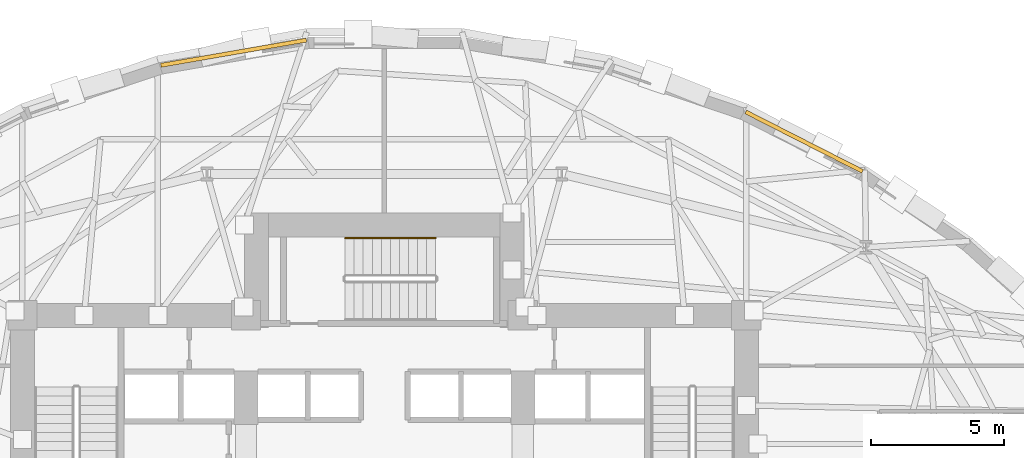
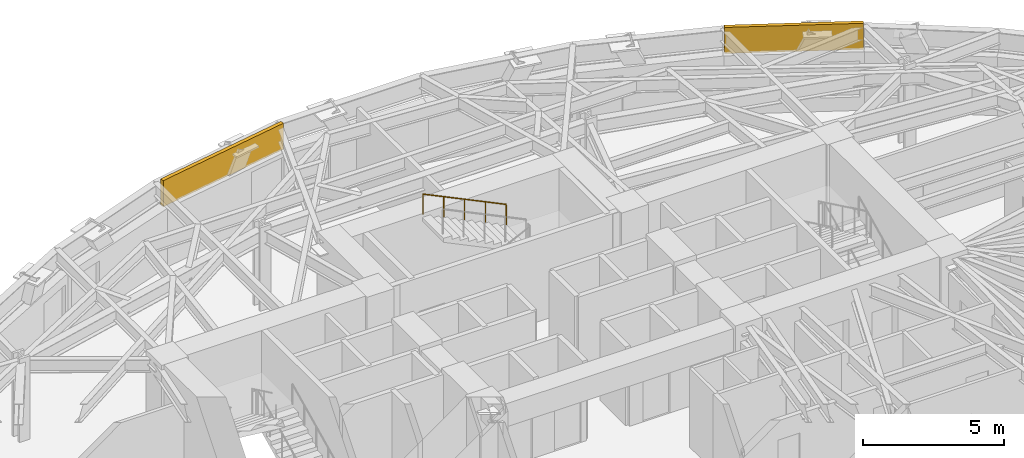
# One storey, part 14 of 14: 2 coverings, 1 railing.
"""IFC4 building model written with IfcOpenShell, lengths in metres."""

from ifc_helpers import new_model, si_unit, direction, frame, origin, origin_2d, place, context, subcontext, project, spatial, rectangle, circle, extrude, material, layer, layer_set, type_object, element, save


model = new_model("IFC4")

# Units and contexts
model_context = context("Model", 3, precision=1e-05, world=origin(), true_north=direction((0.0, 1.0)))
body_context = subcontext(model_context, "Body", "Model", "MODEL_VIEW")
ifc_project = project(units=[si_unit("LENGTHUNIT", "METRE"), si_unit("AREAUNIT", "SQUARE_METRE"), si_unit("VOLUMEUNIT", "CUBIC_METRE"), si_unit("PLANEANGLEUNIT", "RADIAN"), si_unit("MASSUNIT", "GRAM", prefix="KILO")], contexts=[model_context])

# Site, building, storey
site_placement = place(None, origin())
site = spatial("IfcSite", under=ifc_project, at=site_placement, CompositionType="ELEMENT")
building_placement = place(site_placement, origin())
building = spatial("IfcBuilding", under=site, at=building_placement, Name="Keldmark Tower", CompositionType="ELEMENT")
storey_placement = place(building_placement, frame((0.0, 0.0, 63.0)))
storey = spatial("IfcBuildingStorey", under=building, at=storey_placement, Name="L16", CompositionType="ELEMENT", Elevation=63.0)

# Coverings
ifc_material_1 = material(Name="Honed Kasota Buff Dolomitic Limestone", Category="masonry")
ifc_layer = layer(ifc_material_1, 0.074951171875)
ifc_layer_set = layer_set([ifc_layer], Name="Honed Kasota Buff Dolomitic Limestone")
covering_type = type_object("IfcCoveringType", Name="Kasota Buff Limestone Spandrel Cladding Band", PredefinedType="CLADDING", material=ifc_layer_set)
covering_1_placement = place(storey_placement, frame((15.7705078125, 15.97412109375, 2.453125), z_axis=(0.0, 0.0, 1.0), x_axis=(-0.891069904535, 0.453866087335, 0.0)))
element("IfcCovering", 1, at=covering_1_placement, inside=storey, type_object=covering_type, Name="L16 Kasota Limestone Spandrel Band 05", PredefinedType="CLADDING", context=body_context, shape_type="SweptSolid", body=[
    extrude(rectangle(XDim=4.9248046875, YDim=0.14990234375, at=origin_2d()), origin(), (0.0, 0.0, 1.0), 1.126953125),
])
covering_2_placement = place(storey_placement, frame((-5.6640625, 19.315185546875, 2.453125), z_axis=(0.0, 0.0, 1.0), x_axis=(-0.985309701411, -0.170777025109, 0.0)))
element("IfcCovering", 2, at=covering_2_placement, inside=storey, type_object=covering_type, Name="L16 Kasota Limestone Spandrel Band 09", PredefinedType="CLADDING", context=body_context, shape_type="SweptSolid", body=[
    extrude(rectangle(XDim=5.545166015625, YDim=0.14990234375, at=origin_2d()), origin(), (0.0, 0.0, 1.0), 1.126953125),
])

# Railing
ifc_material_2 = material(Name="Stainless Steel AISI 316L", Category="steel")
railing_type = type_object("IfcRailingType", Name="Stainless Steel Stair Handrail 900 mm", PredefinedType="HANDRAIL", material=ifc_material_2)
railing_placement = place(storey_placement, frame((1.925048828125, 12.35009765625, 1.963623046875)))
element("IfcRailing", 3, at=railing_placement, inside=storey, type_object=railing_type, Name="L16 ST3 stair handrail 2", PredefinedType="HANDRAIL", context=body_context, shape_type="SweptSolid", body=[
    extrude(circle(Radius=0.02392578125, at=origin_2d()), frame((0.0, 0.0, 0.8759765625), z_axis=(-0.901067223353, 0.0, 0.433679442675), x_axis=(0.0, -1.0, 0.0)), (0.0, 0.0, 1.0), 3.7734375),
    extrude(circle(Radius=0.02099609375, at=origin_2d()), origin(), (0.0, 0.0, 1.0), 0.851806640625),
    extrude(circle(Radius=0.02099609375, at=origin_2d()), frame((-0.85009765625, 0.0, 0.4091796875)), (0.0, 0.0, 1.0), 0.851806640625),
    extrude(circle(Radius=0.02099609375, at=origin_2d()), frame((-1.7001953125, 0.0, 0.818359375)), (0.0, 0.0, 1.0), 0.851806640625),
    extrude(circle(Radius=0.02099609375, at=origin_2d()), frame((-2.550048828125, 0.0, 1.227294921875)), (0.0, 0.0, 1.0), 0.851806640625),
    extrude(circle(Radius=0.02099609375, at=origin_2d()), frame((-3.400146484375, 0.0, 1.636474609375)), (0.0, 0.0, 1.0), 0.851806640625),
])

save(model, "model.ifc")
